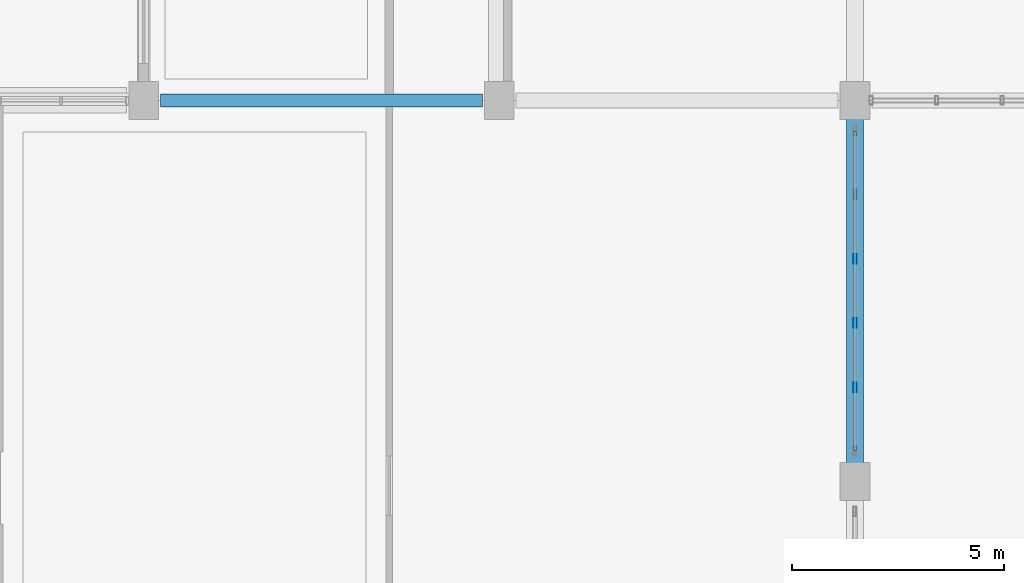
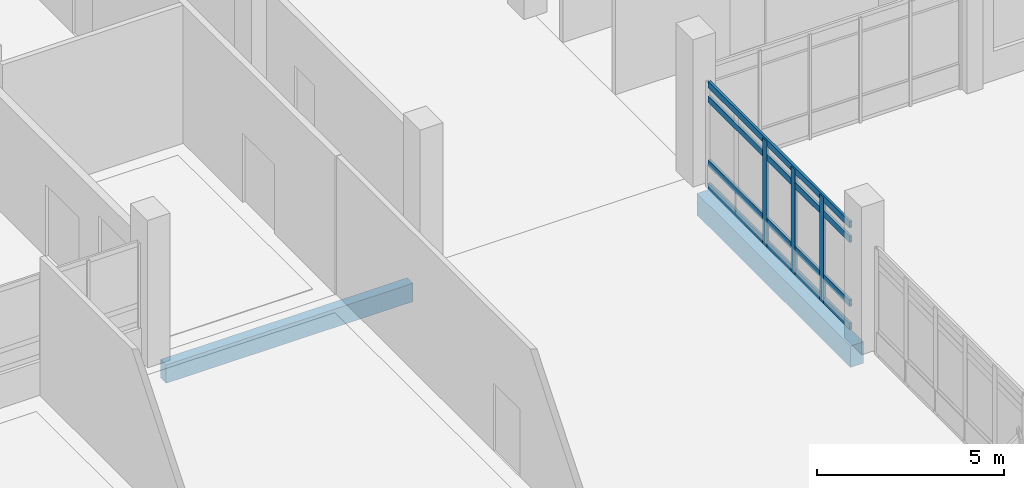
# One storey, part 26 of 95: 7 members, 2 beams, 1 element without a shape of its own.
"""IFC4 building model written with IfcOpenShell, lengths in metres."""

from ifc_helpers import new_model, si_unit, direction, frame, origin, origin_2d, place, context, subcontext, project, spatial, rectangle, hollow_rectangle, extrude, material, layer, layer_set, material_profile, profile_set, type_object, element, aggregate, save


model = new_model("IFC4")

# Units and contexts
model_context = context("Model", 3, precision=1e-05, world=origin(), true_north=direction((0.0, 1.0)))
body_context = subcontext(model_context, "Body", "Model", "MODEL_VIEW")
ifc_project = project(units=[si_unit("LENGTHUNIT", "METRE"), si_unit("AREAUNIT", "SQUARE_METRE"), si_unit("VOLUMEUNIT", "CUBIC_METRE"), si_unit("PLANEANGLEUNIT", "RADIAN"), si_unit("MASSUNIT", "GRAM", prefix="KILO")], contexts=[model_context])

# Site, building, storey
site_placement = place(None, origin())
site = spatial("IfcSite", under=ifc_project, at=site_placement, CompositionType="ELEMENT")
building_placement = place(site_placement, origin())
building = spatial("IfcBuilding", under=site, at=building_placement, Name="Vireocrest Preparatory School", CompositionType="ELEMENT")
storey_placement = place(building_placement, origin())
storey = spatial("IfcBuildingStorey", under=building, at=storey_placement, Name="L00", CompositionType="ELEMENT", Elevation=0.0)

# Curtain wall, members
ifc_material_1 = material(Name="Thermally broken aluminium EN AW-6063-T6", Category="aluminium")
ifc_layer = layer(ifc_material_1, 0.179931640625)
ifc_layer_set = layer_set([ifc_layer], Name="Thermally broken aluminium EN AW-6063-T6")
curtain_wall_type = type_object("IfcCurtainWallType", Name="Dining Side Storefront 9000x4400", PredefinedType="USERDEFINED", material=ifc_layer_set)
curtain_wall_placement = place(storey_placement, origin())
curtain_wall = element("IfcCurtainWall", 1, at=curtain_wall_placement, inside=storey, type_object=curtain_wall_type, Name="Curtain Wall CW11 CW_L00_CW11_1092_0096_000", ObjectType="CURTAIN WALL", PredefinedType="USERDEFINED")
ifc_material_profile_1 = material_profile(ifc_material_1, hollow_rectangle(XDim=0.074951171875, YDim=0.22509765625, WallThickness=0.0048828125, at=origin_2d()), Name="ALU 75x225x5")
ifc_profile_set_1 = profile_set([ifc_material_profile_1], Name="Thermally broken aluminium EN AW-6063-T6")
member_type_1 = type_object("IfcMemberType", Name="CW Mullion 75x225x5", PredefinedType="MULLION", material=ifc_profile_set_1)
member_1_placement = place(storey_placement, frame((109.199951171875, 11.222900390625, 0.0), z_axis=(0.0, 0.0, 1.0), x_axis=(1.0, 0.0, 0.0)))
member_1 = element("IfcMember", 2, at=member_1_placement, type_object=member_type_1, Name="CW Mullion ML4 CW_L00_CW11_1092_0096_000-2", PredefinedType="MULLION", context=body_context, shape_type="SweptSolid", body=[
    extrude(hollow_rectangle(XDim=0.074951171875, YDim=0.22509765625, WallThickness=0.0048828125, at=origin_2d()), origin(), (0.0, 0.0, 1.0), 3.445068359375),
])
member_2_placement = place(storey_placement, frame((109.199951171875, 12.740966796875, 0.0), z_axis=(0.0, 0.0, 1.0), x_axis=(1.0, 0.0, 0.0)))
member_2 = element("IfcMember", 3, at=member_2_placement, type_object=member_type_1, Name="CW Mullion ML4 CW_L00_CW11_1092_0096_000-3", PredefinedType="MULLION", context=body_context, shape_type="SweptSolid", body=[
    extrude(hollow_rectangle(XDim=0.074951171875, YDim=0.22509765625, WallThickness=0.0048828125, at=origin_2d()), origin(), (0.0, 0.0, 1.0), 3.445068359375),
])
member_3_placement = place(storey_placement, frame((109.199951171875, 14.259033203125, 0.0), z_axis=(0.0, 0.0, 1.0), x_axis=(1.0, 0.0, 0.0)))
member_3 = element("IfcMember", 4, at=member_3_placement, type_object=member_type_1, Name="CW Mullion ML4 CW_L00_CW11_1092_0096_000-4", PredefinedType="MULLION", context=body_context, shape_type="SweptSolid", body=[
    extrude(hollow_rectangle(XDim=0.074951171875, YDim=0.22509765625, WallThickness=0.0048828125, at=origin_2d()), origin(), (0.0, 0.0, 1.0), 3.445068359375),
])
ifc_material_profile_2 = material_profile(ifc_material_1, hollow_rectangle(XDim=0.074951171875, YDim=0.2099609375, WallThickness=0.0048828125, at=origin_2d()), Name="ALU 75x210x5")
ifc_profile_set_2 = profile_set([ifc_material_profile_2], Name="Thermally broken aluminium EN AW-6063-T6")
member_type_2 = type_object("IfcMemberType", Name="CW Transom 75x210x5", PredefinedType="USERDEFINED", material=ifc_profile_set_2)
member_4_placement = place(storey_placement, frame((109.199951171875, 9.72998046875, 0.094970703125), z_axis=(0.0, 1.0, 0.0), x_axis=(-1.0, 0.0, 0.0)))
member_4 = element("IfcMember", 5, at=member_4_placement, type_object=member_type_2, Name="CW Transom TR4 CW_L00_CW11_1092_0096_000-1", ObjectType="TRANSOM", PredefinedType="USERDEFINED", context=body_context, shape_type="SweptSolid", body=[
    extrude(hollow_rectangle(XDim=0.074951171875, YDim=0.2099609375, WallThickness=0.0048828125, at=origin_2d()), origin(), (0.0, 0.0, 1.0), 7.5400390625),
])
member_5_placement = place(storey_placement, frame((109.199951171875, 9.72998046875, 0.85009765625), z_axis=(0.0, 1.0, 0.0), x_axis=(-1.0, 0.0, 0.0)))
member_5 = element("IfcMember", 6, at=member_5_placement, type_object=member_type_2, Name="CW Transom TR4 CW_L00_CW11_1092_0096_000-2", ObjectType="TRANSOM", PredefinedType="USERDEFINED", context=body_context, shape_type="SweptSolid", body=[
    extrude(hollow_rectangle(XDim=0.074951171875, YDim=0.2099609375, WallThickness=0.0048828125, at=origin_2d()), origin(), (0.0, 0.0, 1.0), 7.5400390625),
])
member_6_placement = place(storey_placement, frame((109.199951171875, 9.72998046875, 2.929931640625), z_axis=(0.0, 1.0, 0.0), x_axis=(-1.0, 0.0, 0.0)))
member_6 = element("IfcMember", 7, at=member_6_placement, type_object=member_type_2, Name="CW Transom TR4 CW_L00_CW11_1092_0096_000-3", ObjectType="TRANSOM", PredefinedType="USERDEFINED", context=body_context, shape_type="SweptSolid", body=[
    extrude(hollow_rectangle(XDim=0.074951171875, YDim=0.2099609375, WallThickness=0.0048828125, at=origin_2d()), origin(), (0.0, 0.0, 1.0), 7.5400390625),
])
member_7_placement = place(storey_placement, frame((109.199951171875, 9.72998046875, 3.405029296875), z_axis=(0.0, 1.0, 0.0), x_axis=(-1.0, 0.0, 0.0)))
member_7 = element("IfcMember", 8, at=member_7_placement, type_object=member_type_2, Name="CW Transom TR4 CW_L00_CW11_1092_0096_000-4", ObjectType="TRANSOM", PredefinedType="USERDEFINED", context=body_context, shape_type="SweptSolid", body=[
    extrude(hollow_rectangle(XDim=0.074951171875, YDim=0.2099609375, WallThickness=0.0048828125, at=origin_2d()), origin(), (0.0, 0.0, 1.0), 7.5400390625),
])
aggregate(curtain_wall, [member_1, member_2, member_3, member_4, member_5, member_6, member_7])

# Beams
ifc_material_2 = material(Name="Concrete 40 MPa", Category="concrete")
ifc_material_profile_3 = material_profile(ifc_material_2, rectangle(XDim=0.300048828125, YDim=0.60009765625, at=origin_2d()), Name="RC 300x600")
ifc_profile_set_3 = profile_set([ifc_material_profile_3], Name="Concrete 40 MPa")
beam_type_1 = type_object("IfcBeamType", Name="RC Classroom Beam 300x600", PredefinedType="BEAM", material=ifc_profile_set_3)
beam_1_placement = place(storey_placement, frame((92.800048828125, 18.0, -0.64990234375), z_axis=(1.0, 0.0, 0.0), x_axis=(0.0, 1.0, 0.0)))
element("IfcBeam", 9, at=beam_1_placement, inside=storey, type_object=beam_type_1, Name="Primary Girder B03 L00-0019", PredefinedType="BEAM", context=body_context, shape_type="SweptSolid", body=[
    extrude(rectangle(XDim=0.300048828125, YDim=0.60009765625, at=origin_2d()), origin(), (0.0, 0.0, 1.0), 7.599853515625),
])
ifc_material_profile_4 = material_profile(ifc_material_2, rectangle(XDim=0.39990234375, YDim=0.699951171875, at=origin_2d()), Name="RC 400x700")
ifc_profile_set_4 = profile_set([ifc_material_profile_4], Name="Concrete 40 MPa")
beam_type_2 = type_object("IfcBeamType", Name="RC Corridor Girder 400x700", PredefinedType="BEAM", material=ifc_profile_set_4)
beam_2_placement = place(storey_placement, frame((109.199951171875, 9.39990234375, -0.6298828125), z_axis=(0.0, 1.0, 0.0), x_axis=(-1.0, 0.0, 0.0)))
element("IfcBeam", 10, at=beam_2_placement, inside=storey, type_object=beam_type_2, Name="Primary Girder B08 L00-0217", PredefinedType="BEAM", context=body_context, shape_type="SweptSolid", body=[
    extrude(rectangle(XDim=0.39990234375, YDim=0.699951171875, at=origin_2d()), origin(), (0.0, 0.0, 1.0), 8.2001953125),
])

save(model, "model.ifc")
